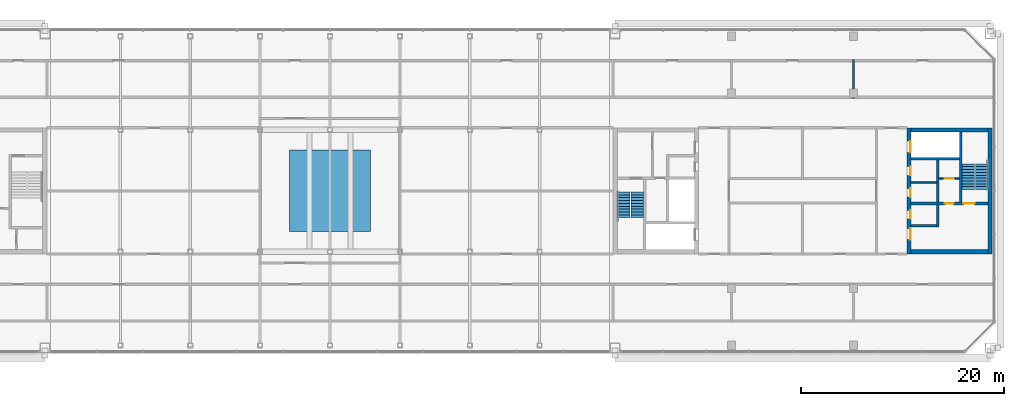
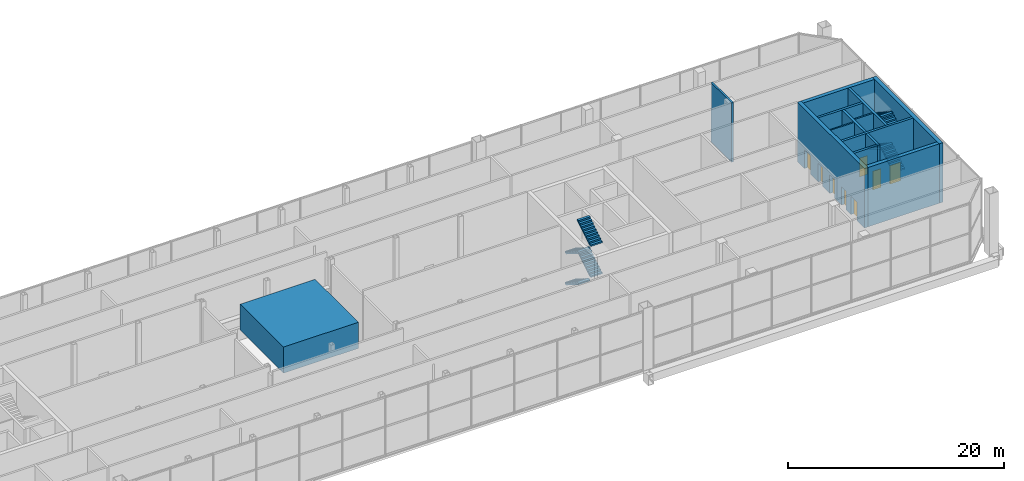
# One storey, part 25 of 27: 13 walls, 8 doors, 8 stair flights, 1 discrete accessory, 8 openings, 2 elements without a shape of their own.
"""IFC4 building model written with IfcOpenShell, lengths in metres."""

from ifc_helpers import new_model, si_unit, direction, frame, frame_2d, origin, origin_2d, place, context, subcontext, project, spatial, polyline, rectangle, outline, extrude, material, layer, layer_set, type_object, element, fill, aggregate, save


model = new_model("IFC4")

# Units and contexts
model_context = context("Model", 3, precision=1e-05, world=origin(), true_north=direction((0.0, 1.0)))
body_context = subcontext(model_context, "Body", "Model", "MODEL_VIEW")
ifc_project = project(units=[si_unit("LENGTHUNIT", "METRE"), si_unit("AREAUNIT", "SQUARE_METRE"), si_unit("VOLUMEUNIT", "CUBIC_METRE"), si_unit("PLANEANGLEUNIT", "RADIAN"), si_unit("MASSUNIT", "GRAM", prefix="KILO")], contexts=[model_context])

# Site, building, storey
site_placement = place(None, origin())
site = spatial("IfcSite", under=ifc_project, at=site_placement, CompositionType="ELEMENT")
building_placement = place(site_placement, origin())
building = spatial("IfcBuilding", under=site, at=building_placement, Name="Tuart Gate Housing", CompositionType="ELEMENT")
storey_placement = place(building_placement, frame((0.0, 0.0, 236.89990234375)))
storey = spatial("IfcBuildingStorey", under=building, at=storey_placement, Name="L67", CompositionType="ELEMENT", Elevation=236.89990234375)

# Wall, opening, door
ifc_material_1 = material(Name="Plasterboard partition")
ifc_layer_1 = layer(ifc_material_1, 0.14990234375)
ifc_layer_set_1 = layer_set([ifc_layer_1], Name="Core partition 150")
wall_type_1 = type_object("IfcWallType", Name="Core partition 150", PredefinedType="PARTITIONING", material=ifc_layer_set_1)
wall_1_placement = place(storey_placement, frame((163.4150390625, 71.199951171875, 0.0), z_axis=(0.0, 0.0, 1.0), x_axis=(1.0, 0.0, 0.0)))
wall_1 = element("IfcWall", 1, at=wall_1_placement, inside=storey, type_object=wall_type_1, Name="Core partition BK.2", PredefinedType="PARTITIONING", context=body_context, shape_type="SweptSolid", body=[
    extrude(rectangle(XDim=2.0, YDim=0.14990234375, at=frame_2d((1.0, 0.0))), origin(), (0.0, 0.0, 1.0), 6.7001953125),
])
opening_1_placement = place(wall_1_placement, frame((0.574951171875, 0.0, 0.0)))
opening_1 = element("IfcOpeningElement", 2, at=opening_1_placement, cuts=wall_1, Name="Opening D328", PredefinedType="OPENING", context=body_context, shape_type="SweptSolid", body=[
    extrude(rectangle(XDim=0.85009765625, YDim=2.10009765625, at=frame_2d((0.425048828125, 1.050048828125))), frame((0.0, 0.0849609375, 0.0), z_axis=(0.0, -1.0, 0.0), x_axis=(1.0, 0.0, 0.0)), (0.0, 0.0, 1.0), 0.169921875),
])
ifc_material_2 = material(Name="Steel fire door", Category="steel")
door_type_1 = type_object("IfcDoorType", Name="Service door 850 x 2100 RH", OperationType="SINGLE_SWING_RIGHT", PredefinedType="DOOR", material=ifc_material_2)
door_1_placement = place(opening_1_placement, frame((0.85009765625, 0.0, 0.0), z_axis=(0.0, 0.0, 1.0), x_axis=(-1.0, 0.0, 0.0)))
door_1 = element("IfcDoor", 3, at=door_1_placement, inside=storey, type_object=door_type_1, Name="Service room door BK.W2", OperationType="SINGLE_SWING_RIGHT", OverallHeight=2.10009765625, OverallWidth=0.85009765625, PredefinedType="DOOR", context=body_context, shape_type="SweptSolid", body=[
    extrude(rectangle(XDim=0.85009765625, YDim=2.10009765625, at=frame_2d((0.425048828125, 1.050048828125))), frame((0.0, 0.025146484375, 0.0), z_axis=(0.0, -1.0, 0.0), x_axis=(1.0, 0.0, 0.0)), (0.0, 0.0, 1.0), 0.050048828125),
])
fill(opening_1, door_1)

# Walls
wall_2_placement = place(storey_placement, frame((160.639892578125, 70.800048828125, 0.0), z_axis=(0.0, 0.0, 1.0), x_axis=(1.0, 0.0, 0.0)))
element("IfcWall", 4, at=wall_2_placement, inside=storey, type_object=wall_type_1, Name="Core partition BK.3", PredefinedType="PARTITIONING", context=body_context, shape_type="SweptSolid", body=[
    extrude(rectangle(XDim=2.525146484375, YDim=0.14990234375, at=frame_2d((1.2626953125, 0.0))), origin(), (0.0, 0.0, 1.0), 6.7001953125),
])
ifc_material_3 = material(Name="Concrete C40", Category="concrete")
ifc_layer_2 = layer(ifc_material_3, 0.25)
ifc_layer_set_2 = layer_set([ifc_layer_2], Name="Core wall 250 C40")
wall_type_2 = type_object("IfcWallType", Name="Core wall 250 C40", PredefinedType="SHEAR", material=ifc_layer_set_2)
wall_3_placement = place(storey_placement, frame((160.639892578125, 73.14990234375, 0.0), z_axis=(0.0, 0.0, 1.0), x_axis=(1.0, 0.0, 0.0)))
element("IfcWall", 5, at=wall_3_placement, inside=storey, type_object=wall_type_2, Name="Core wall BK.1", PredefinedType="SHEAR", context=body_context, shape_type="SweptSolid", body=[
    extrude(rectangle(XDim=4.775146484375, YDim=0.25, at=frame_2d((2.3876953125, 0.0))), origin(), (0.0, 0.0, 1.0), 6.7001953125),
])

# Wall, openings, doors
wall_4_placement = place(storey_placement, frame((160.639892578125, 68.75, 0.0), z_axis=(0.0, 0.0, 1.0), x_axis=(1.0, 0.0, 0.0)))
wall_4 = element("IfcWall", 6, at=wall_4_placement, inside=storey, type_object=wall_type_2, Name="Core wall BK.4", PredefinedType="SHEAR", context=body_context, shape_type="SweptSolid", body=[
    extrude(rectangle(XDim=7.60009765625, YDim=0.25, at=frame_2d((3.800048828125, 0.0))), origin(), (0.0, 0.0, 1.0), 6.7001953125),
])
opening_2_placement = place(wall_4_placement, frame((5.175048828125, 0.0, 0.0)))
opening_2 = element("IfcOpeningElement", 7, at=opening_2_placement, cuts=wall_4, Name="Opening D338", PredefinedType="OPENING", context=body_context, shape_type="SweptSolid", body=[
    extrude(rectangle(XDim=1.10009765625, YDim=2.10009765625, at=frame_2d((0.550048828125, 1.050048828125))), frame((0.0, 0.135009765625, 0.0), z_axis=(0.0, -1.0, 0.0), x_axis=(1.0, 0.0, 0.0)), (0.0, 0.0, 1.0), 0.27001953125),
])
opening_3_placement = place(wall_4_placement, frame((3.35009765625, 0.0, 0.0)))
opening_3 = element("IfcOpeningElement", 8, at=opening_3_placement, cuts=wall_4, Name="Opening D337", PredefinedType="OPENING", context=body_context, shape_type="SweptSolid", body=[
    extrude(rectangle(XDim=0.85009765625, YDim=2.10009765625, at=frame_2d((0.425048828125, 1.050048828125))), frame((0.0, 0.135009765625, 0.0), z_axis=(0.0, -1.0, 0.0), x_axis=(1.0, 0.0, 0.0)), (0.0, 0.0, 1.0), 0.27001953125),
])
ifc_material_4 = material(Name="Steel fire door", Category="steel")
door_type_2 = type_object("IfcDoorType", Name="Riser door 850 x 2100", OperationType="SINGLE_SWING_LEFT", PredefinedType="DOOR", material=ifc_material_4)
door_2_placement = place(opening_3_placement, origin())
door_2 = element("IfcDoor", 9, at=door_2_placement, inside=storey, type_object=door_type_2, Name="Service room door BK.W1", OperationType="SINGLE_SWING_LEFT", OverallHeight=2.10009765625, OverallWidth=0.85009765625, PredefinedType="DOOR", context=body_context, shape_type="SweptSolid", body=[
    extrude(rectangle(XDim=0.85009765625, YDim=2.10009765625, at=frame_2d((0.425048828125, 1.050048828125))), frame((0.0, 0.02490234375, 0.0), z_axis=(0.0, -1.0, 0.0), x_axis=(1.0, 0.0, 0.0)), (0.0, 0.0, 1.0), 0.050048828125),
])
fill(opening_3, door_2)
ifc_material_5 = material(Name="Steel fire door", Category="steel")
door_type_3 = type_object("IfcDoorType", Name="Stair door 1100 x 2100", OperationType="SINGLE_SWING_LEFT", PredefinedType="DOOR", material=ifc_material_5)
door_3_placement = place(opening_2_placement, origin())
door_3 = element("IfcDoor", 10, at=door_3_placement, inside=storey, type_object=door_type_3, Name="Stair door BK.SD", OperationType="SINGLE_SWING_LEFT", OverallHeight=2.10009765625, OverallWidth=1.10009765625, PredefinedType="DOOR", context=body_context, shape_type="SweptSolid", body=[
    extrude(rectangle(XDim=1.10009765625, YDim=2.10009765625, at=frame_2d((0.550048828125, 1.050048828125))), frame((0.0, 0.02490234375, 0.0), z_axis=(0.0, -1.0, 0.0), x_axis=(1.0, 0.0, 0.0)), (0.0, 0.0, 1.0), 0.050048828125),
])
fill(opening_2, door_3)

# Walls
wall_5_placement = place(storey_placement, frame((160.639892578125, 66.550048828125, 0.0), z_axis=(0.0, 0.0, 1.0), x_axis=(1.0, 0.0, 0.0)))
element("IfcWall", 11, at=wall_5_placement, inside=storey, type_object=wall_type_2, Name="Core wall BK.5", PredefinedType="SHEAR", context=body_context, shape_type="SweptSolid", body=[
    extrude(rectangle(XDim=2.525146484375, YDim=0.25, at=frame_2d((1.2626953125, 0.0))), origin(), (0.0, 0.0, 1.0), 6.7001953125),
])
wall_6_placement = place(storey_placement, frame((163.2900390625, 73.02490234375, 0.0), z_axis=(0.0, 0.0, 1.0), x_axis=(0.0, -1.0, 0.0)))
element("IfcWall", 12, at=wall_6_placement, inside=storey, type_object=wall_type_2, Name="Core wall BK.6", PredefinedType="SHEAR", context=body_context, shape_type="SweptSolid", body=[
    extrude(rectangle(XDim=4.14990234375, YDim=0.25, at=frame_2d((2.074951171875, 0.0))), origin(), (0.0, 0.0, 1.0), 6.7001953125),
])
wall_7_placement = place(storey_placement, frame((163.2900390625, 68.625, 0.0), z_axis=(0.0, 0.0, 1.0), x_axis=(0.0, -1.0, 0.0)))
element("IfcWall", 13, at=wall_7_placement, inside=storey, type_object=wall_type_2, Name="Core wall BK.7", PredefinedType="SHEAR", context=body_context, shape_type="SweptSolid", body=[
    extrude(rectangle(XDim=2.199951171875, YDim=0.25, at=frame_2d((1.10009765625, 0.0))), origin(), (0.0, 0.0, 1.0), 6.7001953125),
])
wall_8_placement = place(storey_placement, frame((165.5400390625, 75.800048828125, 0.0), z_axis=(0.0, 0.0, 1.0), x_axis=(0.0, -1.0, 0.0)))
element("IfcWall", 14, at=wall_8_placement, inside=storey, type_object=wall_type_2, Name="Core wall BK.8", PredefinedType="SHEAR", context=body_context, shape_type="SweptSolid", body=[
    extrude(rectangle(XDim=6.925048828125, YDim=0.25, at=frame_2d((3.46240234375, 0.0))), origin(), (0.0, 0.0, 1.0), 6.7001953125),
])

# Wall, openings, doors
ifc_material_6 = material(Name="Concrete C40", Category="concrete")
ifc_layer_3 = layer(ifc_material_6, 0.39990234375)
ifc_layer_set_3 = layer_set([ifc_layer_3], Name="Core wall 400 C40")
wall_type_3 = type_object("IfcWallType", Name="Core wall 400 C40", PredefinedType="SHEAR", material=ifc_layer_set_3)
wall_9_placement = place(storey_placement, frame((160.43994140625, 76.199951171875, 0.0), z_axis=(0.0, 0.0, 1.0), x_axis=(0.0, -1.0, 0.0)))
wall_9 = element("IfcWall", 15, at=wall_9_placement, inside=storey, type_object=wall_type_3, Name="Core wall BK front", PredefinedType="SHEAR", context=body_context, shape_type="SweptSolid", body=[
    extrude(rectangle(XDim=12.39990234375, YDim=0.39990234375, at=frame_2d((6.199951171875, 0.0))), origin(), (0.0, 0.0, 1.0), 6.7001953125),
])
opening_4_placement = place(wall_9_placement, frame((1.324951171875, 0.0, 0.0)))
opening_4 = element("IfcOpeningElement", 16, at=opening_4_placement, cuts=wall_9, Name="Opening LD-FB2", PredefinedType="OPENING", context=body_context, shape_type="SweptSolid", body=[
    extrude(rectangle(XDim=1.10009765625, YDim=2.10009765625, at=frame_2d((0.550048828125, 1.050048828125))), frame((0.0, 0.2099609375, 0.0), z_axis=(0.0, -1.0, 0.0), x_axis=(1.0, 0.0, 0.0)), (0.0, 0.0, 1.0), 0.419921875),
])
opening_5_placement = place(wall_9_placement, frame((3.824951171875, 0.0, 0.0)))
opening_5 = element("IfcOpeningElement", 17, at=opening_5_placement, cuts=wall_9, Name="Opening D334", PredefinedType="OPENING", context=body_context, shape_type="SweptSolid", body=[
    extrude(rectangle(XDim=0.85009765625, YDim=2.10009765625, at=frame_2d((0.425048828125, 1.050048828125))), frame((0.0, 0.2099609375, 0.0), z_axis=(0.0, -1.0, 0.0), x_axis=(1.0, 0.0, 0.0)), (0.0, 0.0, 1.0), 0.419921875),
])
opening_6_placement = place(wall_9_placement, frame((5.97509765625, 0.0, 0.0)))
opening_6 = element("IfcOpeningElement", 18, at=opening_6_placement, cuts=wall_9, Name="Opening D335", PredefinedType="OPENING", context=body_context, shape_type="SweptSolid", body=[
    extrude(rectangle(XDim=0.85009765625, YDim=2.10009765625, at=frame_2d((0.425048828125, 1.050048828125))), frame((0.0, 0.2099609375, 0.0), z_axis=(0.0, -1.0, 0.0), x_axis=(1.0, 0.0, 0.0)), (0.0, 0.0, 1.0), 0.419921875),
])
opening_7_placement = place(wall_9_placement, frame((9.89990234375, 0.0, 0.0)))
opening_7 = element("IfcOpeningElement", 19, at=opening_7_placement, cuts=wall_9, Name="Opening D333", PredefinedType="OPENING", context=body_context, shape_type="SweptSolid", body=[
    extrude(rectangle(XDim=1.10009765625, YDim=2.10009765625, at=frame_2d((0.550048828125, 1.050048828125))), frame((0.0, 0.2099609375, 0.0), z_axis=(0.0, -1.0, 0.0), x_axis=(1.0, 0.0, 0.0)), (0.0, 0.0, 1.0), 0.419921875),
])
opening_8_placement = place(wall_9_placement, frame((8.125, 0.0, 0.0)))
opening_8 = element("IfcOpeningElement", 20, at=opening_8_placement, cuts=wall_9, Name="Opening D336", PredefinedType="OPENING", context=body_context, shape_type="SweptSolid", body=[
    extrude(rectangle(XDim=0.85009765625, YDim=2.10009765625, at=frame_2d((0.425048828125, 1.050048828125))), frame((0.0, 0.2099609375, 0.0), z_axis=(0.0, -1.0, 0.0), x_axis=(1.0, 0.0, 0.0)), (0.0, 0.0, 1.0), 0.419921875),
])
ifc_material_7 = material(Name="Stainless steel", Category="steel")
door_type_4 = type_object("IfcDoorType", Name="Landing door 1100 x 2100", OperationType="DOUBLE_DOOR_SLIDING", PredefinedType="DOOR", material=ifc_material_7)
door_4_placement = place(opening_4_placement, origin())
door_4 = element("IfcDoor", 21, at=door_4_placement, inside=storey, type_object=door_type_4, Name="Lift landing door FB2", OperationType="DOUBLE_DOOR_SLIDING", OverallHeight=2.10009765625, OverallWidth=1.10009765625, PredefinedType="DOOR", context=body_context, shape_type="SweptSolid", body=[
    extrude(rectangle(XDim=1.10009765625, YDim=2.10009765625, at=frame_2d((0.550048828125, 1.050048828125))), frame((0.0, 0.18505859375, 0.0), z_axis=(0.0, -1.0, 0.0), x_axis=(1.0, 0.0, 0.0)), (0.0, 0.0, 1.0), 0.050048828125),
])
fill(opening_4, door_4)
ifc_material_8 = material(Name="Steel fire door", Category="steel")
door_type_5 = type_object("IfcDoorType", Name="Lobby door 1100 x 2100", OperationType="SINGLE_SWING_LEFT", PredefinedType="DOOR", material=ifc_material_8)
door_5_placement = place(opening_7_placement, origin())
door_5 = element("IfcDoor", 22, at=door_5_placement, inside=storey, type_object=door_type_5, Name="Lobby entry door BK.EN", OperationType="SINGLE_SWING_LEFT", OverallHeight=2.10009765625, OverallWidth=1.10009765625, PredefinedType="DOOR", context=body_context, shape_type="SweptSolid", body=[
    extrude(rectangle(XDim=1.10009765625, YDim=2.10009765625, at=frame_2d((0.550048828125, 1.050048828125))), frame((0.0, 0.18505859375, 0.0), z_axis=(0.0, -1.0, 0.0), x_axis=(1.0, 0.0, 0.0)), (0.0, 0.0, 1.0), 0.050048828125),
])
fill(opening_7, door_5)
ifc_material_9 = material(Name="Steel fire door", Category="steel")
door_type_6 = type_object("IfcDoorType", Name="Service door 850 x 2100", OperationType="SINGLE_SWING_LEFT", PredefinedType="DOOR", material=ifc_material_9)
door_6_placement = place(opening_5_placement, origin())
door_6 = element("IfcDoor", 23, at=door_6_placement, inside=storey, type_object=door_type_6, Name="Service room door BK.FR1", OperationType="SINGLE_SWING_LEFT", OverallHeight=2.10009765625, OverallWidth=0.85009765625, PredefinedType="DOOR", context=body_context, shape_type="SweptSolid", body=[
    extrude(rectangle(XDim=0.85009765625, YDim=2.10009765625, at=frame_2d((0.425048828125, 1.050048828125))), frame((0.0, 0.18505859375, 0.0), z_axis=(0.0, -1.0, 0.0), x_axis=(1.0, 0.0, 0.0)), (0.0, 0.0, 1.0), 0.050048828125),
])
fill(opening_5, door_6)
door_7_placement = place(opening_6_placement, origin())
door_7 = element("IfcDoor", 24, at=door_7_placement, inside=storey, type_object=door_type_6, Name="Service room door BK.FR2", OperationType="SINGLE_SWING_LEFT", OverallHeight=2.10009765625, OverallWidth=0.85009765625, PredefinedType="DOOR", context=body_context, shape_type="SweptSolid", body=[
    extrude(rectangle(XDim=0.85009765625, YDim=2.10009765625, at=frame_2d((0.425048828125, 1.050048828125))), frame((0.0, 0.18505859375, 0.0), z_axis=(0.0, -1.0, 0.0), x_axis=(1.0, 0.0, 0.0)), (0.0, 0.0, 1.0), 0.050048828125),
])
fill(opening_6, door_7)
door_8_placement = place(opening_8_placement, origin())
door_8 = element("IfcDoor", 25, at=door_8_placement, inside=storey, type_object=door_type_6, Name="Service room door BK.T1", OperationType="SINGLE_SWING_LEFT", OverallHeight=2.10009765625, OverallWidth=0.85009765625, PredefinedType="DOOR", context=body_context, shape_type="SweptSolid", body=[
    extrude(rectangle(XDim=0.85009765625, YDim=2.10009765625, at=frame_2d((0.425048828125, 1.050048828125))), frame((0.0, 0.18505859375, 0.0), z_axis=(0.0, -1.0, 0.0), x_axis=(1.0, 0.0, 0.0)), (0.0, 0.0, 1.0), 0.050048828125),
])
fill(opening_8, door_8)

# Walls
wall_10_placement = place(storey_placement, frame((168.43994140625, 76.199951171875, 0.0), z_axis=(0.0, 0.0, 1.0), x_axis=(0.0, -1.0, 0.0)))
element("IfcWall", 26, at=wall_10_placement, inside=storey, type_object=wall_type_3, Name="Core wall BK back", PredefinedType="SHEAR", context=body_context, shape_type="SweptSolid", body=[
    extrude(rectangle(XDim=12.39990234375, YDim=0.39990234375, at=frame_2d((6.199951171875, 0.0))), origin(), (0.0, 0.0, 1.0), 6.7001953125),
])
for number, where, z_axis, x_axis, name in (
    (27, (160.639892578125, 76.0, 0.0), (0.0, 0.0, 1.0), (1.0, 0.0, 0.0), "Core wall BK south"),
    (28, (160.639892578125, 64.0, 0.0), (0.0, 0.0, 1.0), (1.0, 0.0, 0.0), "Core wall BK north"),
):
    element("IfcWall", number, at=place(storey_placement, frame(where, z_axis=z_axis, x_axis=x_axis)), inside=storey, type_object=wall_type_3, Name=name, PredefinedType="SHEAR", context=body_context, shape_type="SweptSolid", body=[
        extrude(rectangle(XDim=7.60009765625, YDim=0.39990234375, at=frame_2d((3.800048828125, 0.0))), origin(), (0.0, 0.0, 1.0), 6.7001953125),
    ])
ifc_material_10 = material(Name="Concrete masonry 15 MPa", Category="masonry")
ifc_layer_4 = layer(ifc_material_10, 0.199951171875)
ifc_layer_set_4 = layer_set([ifc_layer_4], Name="Enclosure wall masonry 200")
wall_type_4 = type_object("IfcWallType", Name="Enclosure wall masonry 200", PredefinedType="PARTITIONING", material=ifc_layer_set_4)
wall_11_placement = place(storey_placement, frame((155.0, 79.10009765625, 0.0), z_axis=(0.0, 0.0, 1.0), x_axis=(0.0, 1.0, 0.0)))
element("IfcWall", 29, at=wall_11_placement, inside=storey, type_object=wall_type_4, Name="Enclosure wall masonry 200", PredefinedType="PARTITIONING", context=body_context, shape_type="SweptSolid", body=[
    extrude(rectangle(XDim=3.7998046875, YDim=0.199951171875, at=frame_2d((1.89990234375, 0.0))), origin(), (0.0, 0.0, 1.0), 6.7001953125),
])

# Stair, stair flights
ifc_material_11 = material(Name="Concrete C40", Category="concrete")
stair_type = type_object("IfcStairType", Name="Core stair 1250", PredefinedType="HALF_TURN_STAIR", material=ifc_material_11)
stair_1_placement = place(storey_placement, origin())
stair_1 = element("IfcStair", 30, at=stair_1_placement, inside=storey, type_object=stair_type, Name="Stair SB1", PredefinedType="HALF_TURN_STAIR")
ifc_material_12 = material(Name="Concrete C40", Category="concrete")
stair_flight_type = type_object("IfcStairFlightType", Name="Stair flight 1250, 10 risers 175 x 280", PredefinedType="STRAIGHT", material=ifc_material_12)
stair_flight_1_placement = place(storey_placement, frame((132.385009765625, 69.875, 0.0), z_axis=(0.0, 0.0, 1.0), x_axis=(0.0, -1.0, 0.0)))
stair_flight_1 = element("IfcStairFlight", 31, at=stair_flight_1_placement, type_object=stair_flight_type, Name="SB1 flight 1", NumberOfRisers=10, NumberOfTreads=9, PredefinedType="STRAIGHT", RiserHeight=0.175, TreadLength=0.28, context=body_context, shape_type="SweptSolid", body=[
    extrude(outline(polyline([(0.0, 0.0), (0.0, 0.175048828125), (0.280029296875, 0.175048828125), (0.280029296875, 0.35009765625), (0.56005859375, 0.35009765625), (0.56005859375, 0.52490234375), (0.840087890625, 0.52490234375), (0.840087890625, 0.699951171875), (1.1201171875, 0.699951171875), (1.1201171875, 0.875), (1.39990234375, 0.875), (1.39990234375, 1.050048828125), (1.679931640625, 1.050048828125), (1.679931640625, 1.22509765625), (1.9599609375, 1.22509765625), (1.9599609375, 1.39990234375), (2.239990234375, 1.39990234375), (2.239990234375, 1.574951171875), (2.52001953125, 1.574951171875), (2.52001953125, 1.75), (2.52001953125, 1.398193359375), (0.28271484375, 0.0), (0.0, 0.0)])), frame((0.0, 0.625, 0.0), z_axis=(0.0, -1.0, 0.0), x_axis=(1.0, 0.0, 0.0)), (0.0, 0.0, 1.0), 1.25),
])
stair_flight_2_placement = place(storey_placement, frame((133.7099609375, 67.35498046875, 1.75), z_axis=(0.0, 0.0, 1.0), x_axis=(0.0, 1.0, 0.0)))
stair_flight_2 = element("IfcStairFlight", 32, at=stair_flight_2_placement, type_object=stair_flight_type, Name="SB1 flight 2", NumberOfRisers=10, NumberOfTreads=9, PredefinedType="STRAIGHT", RiserHeight=0.175, TreadLength=0.28, context=body_context, shape_type="SweptSolid", body=[
    extrude(outline(polyline([(0.0, 0.0), (0.0, 0.175048828125), (0.280029296875, 0.175048828125), (0.280029296875, 0.35009765625), (0.56005859375, 0.35009765625), (0.56005859375, 0.52490234375), (0.840087890625, 0.52490234375), (0.840087890625, 0.699951171875), (1.1201171875, 0.699951171875), (1.1201171875, 0.875), (1.39990234375, 0.875), (1.39990234375, 1.050048828125), (1.679931640625, 1.050048828125), (1.679931640625, 1.22509765625), (1.9599609375, 1.22509765625), (1.9599609375, 1.39990234375), (2.239990234375, 1.39990234375), (2.239990234375, 1.574951171875), (2.52001953125, 1.574951171875), (2.52001953125, 1.75), (2.52001953125, 1.398193359375), (0.28271484375, 0.0), (0.0, 0.0)])), frame((0.0, 0.625, 0.0), z_axis=(0.0, -1.0, 0.0), x_axis=(1.0, 0.0, 0.0)), (0.0, 0.0, 1.0), 1.25),
])
stair_flight_3_placement = place(storey_placement, frame((132.385009765625, 69.875, 3.5), z_axis=(0.0, 0.0, 1.0), x_axis=(0.0, -1.0, 0.0)))
stair_flight_3 = element("IfcStairFlight", 33, at=stair_flight_3_placement, type_object=stair_flight_type, Name="SB1 flight 3", NumberOfRisers=10, NumberOfTreads=9, PredefinedType="STRAIGHT", RiserHeight=0.175, TreadLength=0.28, context=body_context, shape_type="SweptSolid", body=[
    extrude(outline(polyline([(0.0, 0.0), (0.0, 0.175048828125), (0.280029296875, 0.175048828125), (0.280029296875, 0.35009765625), (0.56005859375, 0.35009765625), (0.56005859375, 0.52490234375), (0.840087890625, 0.52490234375), (0.840087890625, 0.699951171875), (1.1201171875, 0.699951171875), (1.1201171875, 0.875), (1.39990234375, 0.875), (1.39990234375, 1.050048828125), (1.679931640625, 1.050048828125), (1.679931640625, 1.22509765625), (1.9599609375, 1.22509765625), (1.9599609375, 1.39990234375), (2.239990234375, 1.39990234375), (2.239990234375, 1.574951171875), (2.52001953125, 1.574951171875), (2.52001953125, 1.75), (2.52001953125, 1.398193359375), (0.28271484375, 0.0), (0.0, 0.0)])), frame((0.0, 0.625, 0.0), z_axis=(0.0, -1.0, 0.0), x_axis=(1.0, 0.0, 0.0)), (0.0, 0.0, 1.0), 1.25),
])
stair_flight_4_placement = place(storey_placement, frame((133.7099609375, 67.35498046875, 5.25), z_axis=(0.0, 0.0, 1.0), x_axis=(0.0, 1.0, 0.0)))
stair_flight_4 = element("IfcStairFlight", 34, at=stair_flight_4_placement, type_object=stair_flight_type, Name="SB1 flight 4", NumberOfRisers=10, NumberOfTreads=9, PredefinedType="STRAIGHT", RiserHeight=0.175, TreadLength=0.28, context=body_context, shape_type="SweptSolid", body=[
    extrude(outline(polyline([(0.0, 0.0), (0.0, 0.175048828125), (0.280029296875, 0.175048828125), (0.280029296875, 0.35009765625), (0.56005859375, 0.35009765625), (0.56005859375, 0.52490234375), (0.840087890625, 0.52490234375), (0.840087890625, 0.699951171875), (1.1201171875, 0.699951171875), (1.1201171875, 0.875), (1.39990234375, 0.875), (1.39990234375, 1.050048828125), (1.679931640625, 1.050048828125), (1.679931640625, 1.22509765625), (1.9599609375, 1.22509765625), (1.9599609375, 1.39990234375), (2.239990234375, 1.39990234375), (2.239990234375, 1.574951171875), (2.52001953125, 1.574951171875), (2.52001953125, 1.75), (2.52001953125, 1.398193359375), (0.28271484375, 0.0), (0.0, 0.0)])), frame((0.0, 0.625, 0.0), z_axis=(0.0, -1.0, 0.0), x_axis=(1.0, 0.0, 0.0)), (0.0, 0.0, 1.0), 1.25),
])
aggregate(stair_1, [stair_flight_1, stair_flight_2, stair_flight_3, stair_flight_4])

stair_2_placement = place(storey_placement, origin())
stair_2 = element("IfcStair", 35, at=stair_2_placement, inside=storey, type_object=stair_type, Name="Stair SB2", PredefinedType="HALF_TURN_STAIR")
stair_flight_5_placement = place(storey_placement, frame((167.614990234375, 70.125, 0.0), z_axis=(0.0, 0.0, 1.0), x_axis=(0.0, 1.0, 0.0)))
stair_flight_5 = element("IfcStairFlight", 36, at=stair_flight_5_placement, type_object=stair_flight_type, Name="SB2 flight 1", NumberOfRisers=10, NumberOfTreads=9, PredefinedType="STRAIGHT", RiserHeight=0.175, TreadLength=0.28, context=body_context, shape_type="SweptSolid", body=[
    extrude(outline(polyline([(0.0, 0.0), (0.0, 0.175048828125), (0.280029296875, 0.175048828125), (0.280029296875, 0.35009765625), (0.56005859375, 0.35009765625), (0.56005859375, 0.52490234375), (0.840087890625, 0.52490234375), (0.840087890625, 0.699951171875), (1.1201171875, 0.699951171875), (1.1201171875, 0.875), (1.39990234375, 0.875), (1.39990234375, 1.050048828125), (1.679931640625, 1.050048828125), (1.679931640625, 1.22509765625), (1.9599609375, 1.22509765625), (1.9599609375, 1.39990234375), (2.239990234375, 1.39990234375), (2.239990234375, 1.574951171875), (2.52001953125, 1.574951171875), (2.52001953125, 1.75), (2.52001953125, 1.398193359375), (0.28271484375, 0.0), (0.0, 0.0)])), frame((0.0, 0.625, 0.0), z_axis=(0.0, -1.0, 0.0), x_axis=(1.0, 0.0, 0.0)), (0.0, 0.0, 1.0), 1.25),
])
stair_flight_6_placement = place(storey_placement, frame((166.2900390625, 72.64501953125, 1.75), z_axis=(0.0, 0.0, 1.0), x_axis=(0.0, -1.0, 0.0)))
stair_flight_6 = element("IfcStairFlight", 37, at=stair_flight_6_placement, type_object=stair_flight_type, Name="SB2 flight 2", NumberOfRisers=10, NumberOfTreads=9, PredefinedType="STRAIGHT", RiserHeight=0.175, TreadLength=0.28, context=body_context, shape_type="SweptSolid", body=[
    extrude(outline(polyline([(0.0, 0.0), (0.0, 0.175048828125), (0.280029296875, 0.175048828125), (0.280029296875, 0.35009765625), (0.56005859375, 0.35009765625), (0.56005859375, 0.52490234375), (0.840087890625, 0.52490234375), (0.840087890625, 0.699951171875), (1.1201171875, 0.699951171875), (1.1201171875, 0.875), (1.39990234375, 0.875), (1.39990234375, 1.050048828125), (1.679931640625, 1.050048828125), (1.679931640625, 1.22509765625), (1.9599609375, 1.22509765625), (1.9599609375, 1.39990234375), (2.239990234375, 1.39990234375), (2.239990234375, 1.574951171875), (2.52001953125, 1.574951171875), (2.52001953125, 1.75), (2.52001953125, 1.398193359375), (0.28271484375, 0.0), (0.0, 0.0)])), frame((0.0, 0.625, 0.0), z_axis=(0.0, -1.0, 0.0), x_axis=(1.0, 0.0, 0.0)), (0.0, 0.0, 1.0), 1.25),
])
stair_flight_7_placement = place(storey_placement, frame((167.614990234375, 70.125, 3.5), z_axis=(0.0, 0.0, 1.0), x_axis=(0.0, 1.0, 0.0)))
stair_flight_7 = element("IfcStairFlight", 38, at=stair_flight_7_placement, type_object=stair_flight_type, Name="SB2 flight 3", NumberOfRisers=10, NumberOfTreads=9, PredefinedType="STRAIGHT", RiserHeight=0.175, TreadLength=0.28, context=body_context, shape_type="SweptSolid", body=[
    extrude(outline(polyline([(0.0, 0.0), (0.0, 0.175048828125), (0.280029296875, 0.175048828125), (0.280029296875, 0.35009765625), (0.56005859375, 0.35009765625), (0.56005859375, 0.52490234375), (0.840087890625, 0.52490234375), (0.840087890625, 0.699951171875), (1.1201171875, 0.699951171875), (1.1201171875, 0.875), (1.39990234375, 0.875), (1.39990234375, 1.050048828125), (1.679931640625, 1.050048828125), (1.679931640625, 1.22509765625), (1.9599609375, 1.22509765625), (1.9599609375, 1.39990234375), (2.239990234375, 1.39990234375), (2.239990234375, 1.574951171875), (2.52001953125, 1.574951171875), (2.52001953125, 1.75), (2.52001953125, 1.398193359375), (0.28271484375, 0.0), (0.0, 0.0)])), frame((0.0, 0.625, 0.0), z_axis=(0.0, -1.0, 0.0), x_axis=(1.0, 0.0, 0.0)), (0.0, 0.0, 1.0), 1.25),
])
stair_flight_8_placement = place(storey_placement, frame((166.2900390625, 72.64501953125, 5.25), z_axis=(0.0, 0.0, 1.0), x_axis=(0.0, -1.0, 0.0)))
stair_flight_8 = element("IfcStairFlight", 39, at=stair_flight_8_placement, type_object=stair_flight_type, Name="SB2 flight 4", NumberOfRisers=10, NumberOfTreads=9, PredefinedType="STRAIGHT", RiserHeight=0.175, TreadLength=0.28, context=body_context, shape_type="SweptSolid", body=[
    extrude(outline(polyline([(0.0, 0.0), (0.0, 0.175048828125), (0.280029296875, 0.175048828125), (0.280029296875, 0.35009765625), (0.56005859375, 0.35009765625), (0.56005859375, 0.52490234375), (0.840087890625, 0.52490234375), (0.840087890625, 0.699951171875), (1.1201171875, 0.699951171875), (1.1201171875, 0.875), (1.39990234375, 0.875), (1.39990234375, 1.050048828125), (1.679931640625, 1.050048828125), (1.679931640625, 1.22509765625), (1.9599609375, 1.22509765625), (1.9599609375, 1.39990234375), (2.239990234375, 1.39990234375), (2.239990234375, 1.574951171875), (2.52001953125, 1.574951171875), (2.52001953125, 1.75), (2.52001953125, 1.398193359375), (0.28271484375, 0.0), (0.0, 0.0)])), frame((0.0, 0.625, 0.0), z_axis=(0.0, -1.0, 0.0), x_axis=(1.0, 0.0, 0.0)), (0.0, 0.0, 1.0), 1.25),
])
aggregate(stair_2, [stair_flight_5, stair_flight_6, stair_flight_7, stair_flight_8])

# Discrete accessory
discrete_accessory_placement = place(storey_placement, frame((103.5, 70.0, 3.55029296875), z_axis=(0.0, 0.0, 1.0), x_axis=(1.0, 0.0, 0.0)))
element("IfcDiscreteAccessory", 40, at=discrete_accessory_placement, inside=storey, Name="Tuned damper mass block", ObjectType="TMD MASS", PredefinedType="USERDEFINED", context=body_context, shape_type="SweptSolid", body=[
    extrude(rectangle(XDim=8.0, YDim=8.0, at=origin_2d()), origin(), (0.0, 0.0, 1.0), 2.949951171875),
])

save(model, "model.ifc")
